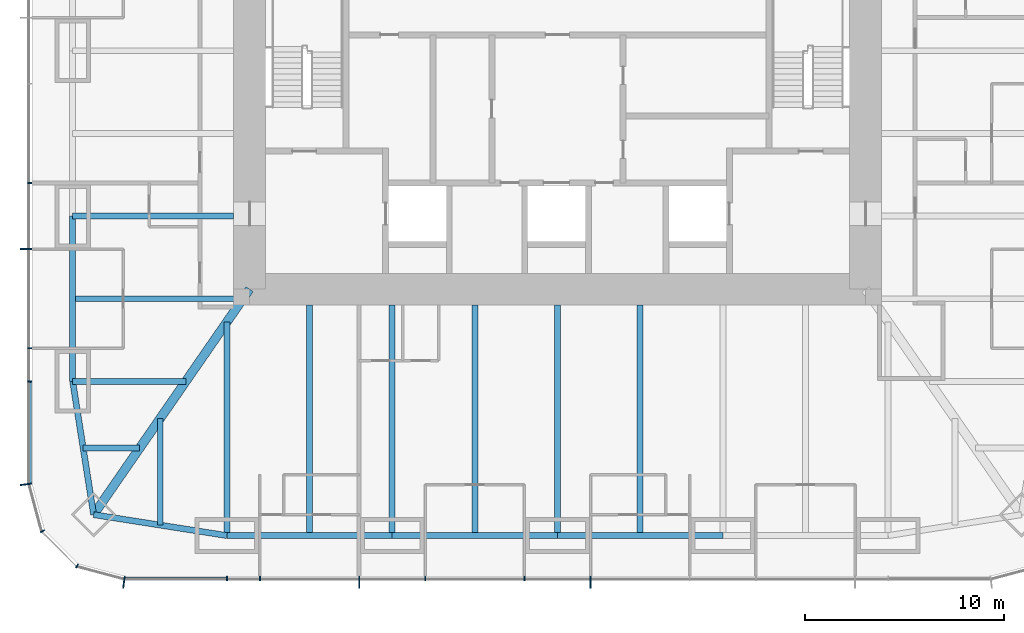
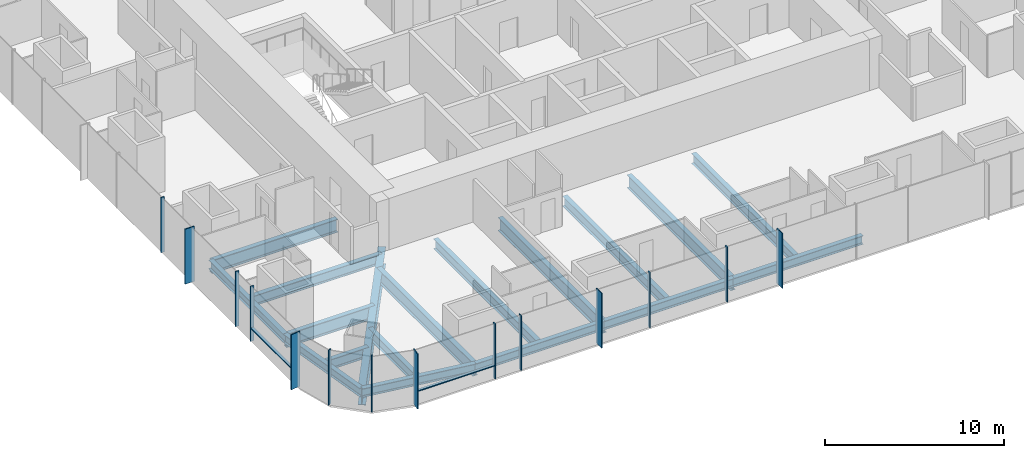
# One storey, part 2 of 12: 18 beams, 16 members, 3 elements without a shape of their own.
"""IFC4 building model written with IfcOpenShell, lengths in metres."""

from ifc_helpers import new_model, si_unit, direction, frame, origin, origin_2d, place, context, subcontext, project, spatial, rectangle, i_section, extrude, material, material_profile, profile_set, type_object, element, aggregate, save


model = new_model("IFC4")

# Units and contexts
model_context = context("Model", 3, precision=1e-05, world=origin(), true_north=direction((0.0, 1.0)))
body_context = subcontext(model_context, "Body", "Model", "MODEL_VIEW")
ifc_project = project(units=[si_unit("LENGTHUNIT", "METRE"), si_unit("AREAUNIT", "SQUARE_METRE"), si_unit("VOLUMEUNIT", "CUBIC_METRE"), si_unit("PLANEANGLEUNIT", "RADIAN"), si_unit("MASSUNIT", "GRAM", prefix="KILO")], contexts=[model_context])

# Site, building, storey
site_placement = place(None, origin())
site = spatial("IfcSite", under=ifc_project, at=site_placement, CompositionType="ELEMENT")
building_placement = place(site_placement, origin())
building = spatial("IfcBuilding", under=site, at=building_placement, Name="Khuree Lantern Residences", CompositionType="ELEMENT")
storey_placement = place(building_placement, frame((0.0, 0.0, 207.0)))
storey = spatial("IfcBuildingStorey", under=building, at=storey_placement, Name="L51", CompositionType="ELEMENT", Elevation=207.0)

# Beams
ifc_material_1 = material(Name="Steel S355", Category="steel")
ifc_material_profile_1 = material_profile(ifc_material_1, i_section(OverallWidth=0.300048828125, OverallDepth=0.68994140625, WebThickness=0.014404296875, FlangeThickness=0.027099609375, FilletRadius=0.027099609375, at=origin_2d()), Name="HE 700 A")
ifc_profile_set_1 = profile_set([ifc_material_profile_1], Name="Steel S355")
beam_type_1 = type_object("IfcBeamType", Name="B-31 SECONDARY BEAM HE 700 A", PredefinedType="BEAM", material=ifc_profile_set_1)
for number, where, z_axis, x_axis, name in (
    (1, (4.159912109375, -24.39990234375, -0.594970703125), (0.0, 1.0, 0.0), (-1.0, 0.0, 0.0), "Secondary beam S3"),
    (2, (-4.159912109375, -24.39990234375, -0.594970703125), (0.0, 1.0, 0.0), (-1.0, 0.0, 0.0), "Secondary beam S4"),
    (3, (-12.47998046875, -24.39990234375, -0.594970703125), (0.0, 1.0, 0.0), (-1.0, 0.0, 0.0), "Secondary beam S5"),
):
    element("IfcBeam", number, at=place(storey_placement, frame(where, z_axis=z_axis, x_axis=x_axis)), inside=storey, type_object=beam_type_1, Name=name, PredefinedType="BEAM", context=body_context, shape_type="SweptSolid", body=[
        extrude(i_section(OverallWidth=0.300048828125, OverallDepth=0.68994140625, WebThickness=0.014404296875, FlangeThickness=0.027099609375, FilletRadius=0.027099609375, at=origin_2d()), origin(), (0.0, 0.0, 1.0), 11.599853515625),
    ])
beam_1_placement = place(storey_placement, frame((-19.992919921875, -23.872802734375, -0.594970703125), z_axis=(0.0, 1.0, 0.0), x_axis=(-1.0, 0.0, 0.0)))
element("IfcBeam", 4, at=beam_1_placement, inside=storey, type_object=beam_type_1, Name="Secondary beam S6", PredefinedType="BEAM", context=body_context, shape_type="SweptSolid", body=[
    extrude(i_section(OverallWidth=0.300048828125, OverallDepth=0.68994140625, WebThickness=0.014404296875, FlangeThickness=0.027099609375, FilletRadius=0.027099609375, at=origin_2d()), origin(), (0.0, 0.0, 1.0), 5.375732421875),
])
beam_2_placement = place(storey_placement, frame((-23.872802734375, -19.992919921875, -0.594970703125), z_axis=(1.0, 0.0, 0.0), x_axis=(0.0, 1.0, 0.0)))
element("IfcBeam", 5, at=beam_2_placement, inside=storey, type_object=beam_type_1, Name="Secondary beam W1", PredefinedType="BEAM", context=body_context, shape_type="SweptSolid", body=[
    extrude(i_section(OverallWidth=0.300048828125, OverallDepth=0.68994140625, WebThickness=0.014404296875, FlangeThickness=0.027099609375, FilletRadius=0.027099609375, at=origin_2d()), origin(), (0.0, 0.0, 1.0), 2.845703125),
])
beam_3_placement = place(storey_placement, frame((-24.39990234375, -12.47998046875, -0.594970703125), z_axis=(1.0, 0.0, 0.0), x_axis=(0.0, 1.0, 0.0)))
element("IfcBeam", 6, at=beam_3_placement, inside=storey, type_object=beam_type_1, Name="Secondary beam W2", PredefinedType="BEAM", context=body_context, shape_type="SweptSolid", body=[
    extrude(i_section(OverallWidth=0.300048828125, OverallDepth=0.68994140625, WebThickness=0.014404296875, FlangeThickness=0.027099609375, FilletRadius=0.027099609375, at=origin_2d()), origin(), (0.0, 0.0, 1.0), 8.56787109375),
])
ifc_material_profile_2 = material_profile(ifc_material_1, i_section(OverallWidth=0.300048828125, OverallDepth=0.590087890625, WebThickness=0.012939453125, FlangeThickness=0.02490234375, FilletRadius=0.027099609375, at=origin_2d()), Name="HE 600 A")
ifc_profile_set_2 = profile_set([ifc_material_profile_2], Name="Steel S355")
beam_type_2 = type_object("IfcBeamType", Name="E-31 SPANDREL BEAM HE 600 A", PredefinedType="SPANDREL", material=ifc_profile_set_2)
for number, where, z_axis, x_axis, name in (
    (7, (8.320068359375, -24.39990234375, -0.544921875), (-1.0, 0.0, 0.0), (0.0, -1.0, 0.0), "Spandrel beam S3"),
    (8, (0.0, -24.39990234375, -0.544921875), (-1.0, 0.0, 0.0), (0.0, -1.0, 0.0), "Spandrel beam S4"),
):
    element("IfcBeam", number, at=place(storey_placement, frame(where, z_axis=z_axis, x_axis=x_axis)), inside=storey, type_object=beam_type_2, Name=name, PredefinedType="SPANDREL", context=body_context, shape_type="SweptSolid", body=[
        extrude(i_section(OverallWidth=0.300048828125, OverallDepth=0.590087890625, WebThickness=0.012939453125, FlangeThickness=0.02490234375, FilletRadius=0.027099609375, at=origin_2d()), origin(), (0.0, 0.0, 1.0), 8.320068359375),
    ])
beam_4_placement = place(storey_placement, frame((-8.320068359375, -24.39990234375, -0.544921875), z_axis=(-1.0, 0.0, 0.0), x_axis=(0.0, -1.0, 0.0)))
element("IfcBeam", 9, at=beam_4_placement, inside=storey, type_object=beam_type_2, Name="Spandrel beam S5", PredefinedType="SPANDREL", context=body_context, shape_type="SweptSolid", body=[
    extrude(i_section(OverallWidth=0.300048828125, OverallDepth=0.590087890625, WebThickness=0.012939453125, FlangeThickness=0.02490234375, FilletRadius=0.027099609375, at=origin_2d()), origin(), (0.0, 0.0, 1.0), 8.31982421875),
])
for number, where, z_axis, x_axis, name in (
    (10, (-16.639892578125, -24.39990234375, -0.544921875), (-0.98786743189, 0.155299507442, 0.0), (-0.155299507442, -0.98786743189, 0.0), "Spandrel beam S6"),
    (11, (-23.345703125, -23.345703125, -0.544921875), (-0.155299507442, 0.98786743189, 0.0), (-0.98786743189, -0.155299507442, 0.0), "Spandrel beam W1"),
):
    element("IfcBeam", number, at=place(storey_placement, frame(where, z_axis=z_axis, x_axis=x_axis)), inside=storey, type_object=beam_type_2, Name=name, PredefinedType="SPANDREL", context=body_context, shape_type="SweptSolid", body=[
        extrude(i_section(OverallWidth=0.300048828125, OverallDepth=0.590087890625, WebThickness=0.012939453125, FlangeThickness=0.02490234375, FilletRadius=0.027099609375, at=origin_2d()), origin(), (0.0, 0.0, 1.0), 6.7880859375),
    ])
beam_5_placement = place(storey_placement, frame((-24.39990234375, -16.639892578125, -0.544921875), z_axis=(0.0, 1.0, 0.0), x_axis=(-1.0, 0.0, 0.0)))
element("IfcBeam", 12, at=beam_5_placement, inside=storey, type_object=beam_type_2, Name="Spandrel beam W2", PredefinedType="SPANDREL", context=body_context, shape_type="SweptSolid", body=[
    extrude(i_section(OverallWidth=0.300048828125, OverallDepth=0.590087890625, WebThickness=0.012939453125, FlangeThickness=0.02490234375, FilletRadius=0.027099609375, at=origin_2d()), origin(), (0.0, 0.0, 1.0), 8.31982421875),
])

# Curtain wall, member
ifc_material_2 = material(Name="Bronze anodised aluminium", Category="aluminium")
curtain_wall_type_1 = type_object("IfcCurtainWallType", Name="CW-T1 TOWER FACE CURTAIN WALL", PredefinedType="USERDEFINED", material=ifc_material_2)
curtain_wall_1_placement = place(storey_placement, origin())
curtain_wall_1 = element("IfcCurtainWall", 13, at=curtain_wall_1_placement, inside=storey, type_object=curtain_wall_type_1, Name="L51 WEST FACE CURTAIN WALL", ObjectType="Stick-built curtain wall", PredefinedType="USERDEFINED")
ifc_material_profile_3 = material_profile(ifc_material_2, rectangle(XDim=0.06494140625, YDim=0.60009765625, at=origin_2d()), Name="F1 65X600")
ifc_profile_set_3 = profile_set([ifc_material_profile_3], Name="Bronze anodised aluminium")
member_type_1 = type_object("IfcMemberType", Name="F1 BRONZE FIN MULLION TOWER 65X600", PredefinedType="MULLION", material=ifc_profile_set_3)
member_1_placement = place(storey_placement, frame((-26.75, -9.98388671875, 0.0), z_axis=(0.0, 0.0, 1.0), x_axis=(0.0, -1.0, 0.0)))
member_1 = element("IfcMember", 14, at=member_1_placement, type_object=member_type_1, Name="L51 WEST FACE FIN MULLION 40", PredefinedType="MULLION", context=body_context, shape_type="SweptSolid", body=[
    extrude(rectangle(XDim=0.06494140625, YDim=0.60009765625, at=origin_2d()), origin(), (0.0, 0.0, 1.0), 3.75),
])

curtain_wall_type_2 = type_object("IfcCurtainWallType", Name="CW-T2 TOWER CORNER CURTAIN WALL", PredefinedType="USERDEFINED", material=ifc_material_2)
curtain_wall_2_placement = place(storey_placement, origin())
curtain_wall_2 = element("IfcCurtainWall", 15, at=curtain_wall_2_placement, inside=storey, type_object=curtain_wall_type_2, Name="L51 SOUTH-WEST CORNER CURTAIN WALL", ObjectType="Faceted corner curtain wall", PredefinedType="USERDEFINED")
member_2_placement = place(storey_placement, frame((-26.75, -21.81982421875, 0.0), z_axis=(0.0, 0.0, 1.0), x_axis=(0.130526180298, -0.991444862943, 0.0)))
member_2 = element("IfcMember", 16, at=member_2_placement, type_object=member_type_1, Name="L51 SOUTH-WEST CORNER FIN MULLION 43", PredefinedType="MULLION", context=body_context, shape_type="SweptSolid", body=[
    extrude(rectangle(XDim=0.06494140625, YDim=0.60009765625, at=origin_2d()), origin(), (0.0, 0.0, 1.0), 3.75),
])

# Curtain wall, members
curtain_wall_3_placement = place(storey_placement, origin())
curtain_wall_3 = element("IfcCurtainWall", 17, at=curtain_wall_3_placement, inside=storey, type_object=curtain_wall_type_1, Name="L51 SOUTH FACE CURTAIN WALL", ObjectType="Stick-built curtain wall", PredefinedType="USERDEFINED")
member_3_placement = place(storey_placement, frame((-21.81982421875, -26.75, 0.0), z_axis=(0.0, 0.0, 1.0), x_axis=(0.991444862943, -0.130526180298, 0.0)))
member_3 = element("IfcMember", 18, at=member_3_placement, type_object=member_type_1, Name="L51 SOUTH FACE FIN MULLION 46", PredefinedType="MULLION", context=body_context, shape_type="SweptSolid", body=[
    extrude(rectangle(XDim=0.06494140625, YDim=0.60009765625, at=origin_2d()), origin(), (0.0, 0.0, 1.0), 3.75),
])
member_4_placement = place(storey_placement, frame((-9.98388671875, -26.75, 0.0), z_axis=(0.0, 0.0, 1.0), x_axis=(1.0, 0.0, 0.0)))
member_4 = element("IfcMember", 19, at=member_4_placement, type_object=member_type_1, Name="L51 SOUTH FACE FIN MULLION 49", PredefinedType="MULLION", context=body_context, shape_type="SweptSolid", body=[
    extrude(rectangle(XDim=0.06494140625, YDim=0.60009765625, at=origin_2d()), origin(), (0.0, 0.0, 1.0), 3.75),
])
member_5_placement = place(storey_placement, frame((1.6640625, -26.75, 0.0), z_axis=(0.0, 0.0, 1.0), x_axis=(1.0, 0.0, 0.0)))
member_5 = element("IfcMember", 20, at=member_5_placement, type_object=member_type_1, Name="L51 SOUTH FACE FIN MULLION 52", PredefinedType="MULLION", context=body_context, shape_type="SweptSolid", body=[
    extrude(rectangle(XDim=0.06494140625, YDim=0.60009765625, at=origin_2d()), origin(), (0.0, 0.0, 1.0), 3.75),
])

# Beams
ifc_material_profile_4 = material_profile(ifc_material_1, i_section(OverallWidth=0.300048828125, OverallDepth=0.89990234375, WebThickness=0.0185546875, FlangeThickness=0.034912109375, FilletRadius=0.030029296875, at=origin_2d()), Name="HE 900 B")
ifc_profile_set_4 = profile_set([ifc_material_profile_4], Name="Steel S355")
beam_type_3 = type_object("IfcBeamType", Name="G-31A GIRDER HE 900 B", PredefinedType="BEAM", material=ifc_profile_set_4)
for number, where, z_axis, x_axis, name in (
    (21, (0.0, -24.39990234375, -0.699951171875), (0.0, 1.0, 0.0), (-1.0, 0.0, 0.0), "Girder S3"),
    (22, (-8.320068359375, -24.39990234375, -0.699951171875), (0.0, 1.0, 0.0), (-1.0, 0.0, 0.0), "Girder S4"),
):
    element("IfcBeam", number, at=place(storey_placement, frame(where, z_axis=z_axis, x_axis=x_axis)), inside=storey, type_object=beam_type_3, Name=name, PredefinedType="BEAM", context=body_context, shape_type="SweptSolid", body=[
        extrude(i_section(OverallWidth=0.300048828125, OverallDepth=0.89990234375, WebThickness=0.0185546875, FlangeThickness=0.034912109375, FilletRadius=0.030029296875, at=origin_2d()), origin(), (0.0, 0.0, 1.0), 11.599853515625),
    ])
beam_6_placement = place(storey_placement, frame((-16.639892578125, -24.39990234375, -0.699951171875), z_axis=(0.0, 1.0, 0.0), x_axis=(-1.0, 0.0, 0.0)))
element("IfcBeam", 23, at=beam_6_placement, inside=storey, type_object=beam_type_3, Name="Girder S5", PredefinedType="BEAM", context=body_context, shape_type="SweptSolid", body=[
    extrude(i_section(OverallWidth=0.300048828125, OverallDepth=0.89990234375, WebThickness=0.0185546875, FlangeThickness=0.034912109375, FilletRadius=0.030029296875, at=origin_2d()), origin(), (0.0, 0.0, 1.0), 10.751220703125),
])
beam_7_placement = place(storey_placement, frame((-24.39990234375, -16.639892578125, -0.699951171875), z_axis=(1.0, 0.0, 0.0), x_axis=(0.0, 1.0, 0.0)))
element("IfcBeam", 24, at=beam_7_placement, inside=storey, type_object=beam_type_3, Name="Girder W1", PredefinedType="BEAM", context=body_context, shape_type="SweptSolid", body=[
    extrude(i_section(OverallWidth=0.300048828125, OverallDepth=0.89990234375, WebThickness=0.0185546875, FlangeThickness=0.034912109375, FilletRadius=0.030029296875, at=origin_2d()), origin(), (0.0, 0.0, 1.0), 5.69140625),
])
beam_8_placement = place(storey_placement, frame((-24.39990234375, -8.320068359375, -0.699951171875), z_axis=(1.0, 0.0, 0.0), x_axis=(0.0, 1.0, 0.0)))
element("IfcBeam", 25, at=beam_8_placement, inside=storey, type_object=beam_type_3, Name="Girder W2", PredefinedType="BEAM", context=body_context, shape_type="SweptSolid", body=[
    extrude(i_section(OverallWidth=0.300048828125, OverallDepth=0.89990234375, WebThickness=0.0185546875, FlangeThickness=0.034912109375, FilletRadius=0.030029296875, at=origin_2d()), origin(), (0.0, 0.0, 1.0), 8.099853515625),
])
ifc_material_profile_5 = material_profile(ifc_material_1, i_section(OverallWidth=0.449951171875, OverallDepth=1.199951171875, WebThickness=0.02490234375, FlangeThickness=0.044921875, at=origin_2d()), Name="WELDED I 1200X450X25X45")
ifc_profile_set_5 = profile_set([ifc_material_profile_5], Name="Steel S355")
beam_type_4 = type_object("IfcBeamType", Name="GD-31 CORNER GIRDER WELDED I 1200X450X25X45", PredefinedType="BEAM", material=ifc_profile_set_5)
beam_9_placement = place(storey_placement, frame((-23.345703125, -23.345703125, -0.85009765625), z_axis=(0.56876813501, 0.822497907959, 0.0), x_axis=(-0.822497907959, 0.56876813501, 0.0)))
element("IfcBeam", 26, at=beam_9_placement, inside=storey, type_object=beam_type_4, Name="Corner girder SW", PredefinedType="BEAM", context=body_context, shape_type="SweptSolid", body=[
    extrude(i_section(OverallWidth=0.449951171875, OverallDepth=1.199951171875, WebThickness=0.02490234375, FlangeThickness=0.044921875, at=origin_2d()), origin(), (0.0, 0.0, 1.0), 13.794189453125),
])

# Member
ifc_material_profile_6 = material_profile(ifc_material_2, rectangle(XDim=0.06494140625, YDim=0.219970703125, at=origin_2d()), Name="M1 65X220")
ifc_profile_set_6 = profile_set([ifc_material_profile_6], Name="Bronze anodised aluminium")
member_type_2 = type_object("IfcMemberType", Name="M1 BRONZE MULLION TOWER 65X220", PredefinedType="MULLION", material=ifc_profile_set_6)
member_6_placement = place(storey_placement, frame((-26.56005859375, -6.656005859375, 0.0), z_axis=(0.0, 0.0, 1.0), x_axis=(0.0, -1.0, 0.0)))
member_6 = element("IfcMember", 27, at=member_6_placement, type_object=member_type_2, Name="L51 WEST FACE MULLION 39", PredefinedType="MULLION", context=body_context, shape_type="SweptSolid", body=[
    extrude(rectangle(XDim=0.06494140625, YDim=0.219970703125, at=origin_2d()), origin(), (0.0, 0.0, 1.0), 3.75),
])

member_7_placement = place(storey_placement, frame((-26.56005859375, -14.97607421875, 0.0), z_axis=(0.0, 0.0, 1.0), x_axis=(0.0, -1.0, 0.0)))
member_7 = element("IfcMember", 28, at=member_7_placement, type_object=member_type_2, Name="L51 WEST FACE MULLION 41", PredefinedType="MULLION", context=body_context, shape_type="SweptSolid", body=[
    extrude(rectangle(XDim=0.06494140625, YDim=0.219970703125, at=origin_2d()), origin(), (0.0, 0.0, 1.0), 3.75),
])

member_8_placement = place(storey_placement, frame((-26.56005859375, -16.639892578125, 0.0), z_axis=(0.0, 0.0, 1.0), x_axis=(0.0, -1.0, 0.0)))
member_8 = element("IfcMember", 29, at=member_8_placement, type_object=member_type_2, Name="L51 WEST FACE MULLION 42", PredefinedType="MULLION", context=body_context, shape_type="SweptSolid", body=[
    extrude(rectangle(XDim=0.06494140625, YDim=0.219970703125, at=origin_2d()), origin(), (0.0, 0.0, 1.0), 3.75),
])

member_9_placement = place(storey_placement, frame((-25.92236328125, -24.179931640625, 0.0), z_axis=(0.0, 0.0, 1.0), x_axis=(0.499999989586, -0.866025409797, 0.0)))
member_9 = element("IfcMember", 30, at=member_9_placement, type_object=member_type_2, Name="L51 SOUTH-WEST CORNER MULLION 44", PredefinedType="MULLION", context=body_context, shape_type="SweptSolid", body=[
    extrude(rectangle(XDim=0.06494140625, YDim=0.219970703125, at=origin_2d()), origin(), (0.0, 0.0, 1.0), 3.75),
])

member_10_placement = place(storey_placement, frame((-24.179931640625, -25.92236328125, 0.0), z_axis=(0.0, 0.0, 1.0), x_axis=(0.866025409797, -0.499999989586, 0.0)))
member_10 = element("IfcMember", 31, at=member_10_placement, type_object=member_type_2, Name="L51 SOUTH-WEST CORNER MULLION 45", PredefinedType="MULLION", context=body_context, shape_type="SweptSolid", body=[
    extrude(rectangle(XDim=0.06494140625, YDim=0.219970703125, at=origin_2d()), origin(), (0.0, 0.0, 1.0), 3.75),
])

aggregate(curtain_wall_2, [member_2, member_9, member_10])

member_11_placement = place(storey_placement, frame((-16.639892578125, -26.56005859375, 0.0), z_axis=(0.0, 0.0, 1.0), x_axis=(1.0, 0.0, 0.0)))
member_11 = element("IfcMember", 32, at=member_11_placement, type_object=member_type_2, Name="L51 SOUTH FACE MULLION 47", PredefinedType="MULLION", context=body_context, shape_type="SweptSolid", body=[
    extrude(rectangle(XDim=0.06494140625, YDim=0.219970703125, at=origin_2d()), origin(), (0.0, 0.0, 1.0), 3.75),
])

member_12_placement = place(storey_placement, frame((-14.97607421875, -26.56005859375, 0.0), z_axis=(0.0, 0.0, 1.0), x_axis=(1.0, 0.0, 0.0)))
member_12 = element("IfcMember", 33, at=member_12_placement, type_object=member_type_2, Name="L51 SOUTH FACE MULLION 48", PredefinedType="MULLION", context=body_context, shape_type="SweptSolid", body=[
    extrude(rectangle(XDim=0.06494140625, YDim=0.219970703125, at=origin_2d()), origin(), (0.0, 0.0, 1.0), 3.75),
])

member_13_placement = place(storey_placement, frame((-6.656005859375, -26.56005859375, 0.0), z_axis=(0.0, 0.0, 1.0), x_axis=(1.0, 0.0, 0.0)))
member_13 = element("IfcMember", 34, at=member_13_placement, type_object=member_type_2, Name="L51 SOUTH FACE MULLION 50", PredefinedType="MULLION", context=body_context, shape_type="SweptSolid", body=[
    extrude(rectangle(XDim=0.06494140625, YDim=0.219970703125, at=origin_2d()), origin(), (0.0, 0.0, 1.0), 3.75),
])

member_14_placement = place(storey_placement, frame((-1.6640625, -26.56005859375, 0.0), z_axis=(0.0, 0.0, 1.0), x_axis=(1.0, 0.0, 0.0)))
member_14 = element("IfcMember", 35, at=member_14_placement, type_object=member_type_2, Name="L51 SOUTH FACE MULLION 51", PredefinedType="MULLION", context=body_context, shape_type="SweptSolid", body=[
    extrude(rectangle(XDim=0.06494140625, YDim=0.219970703125, at=origin_2d()), origin(), (0.0, 0.0, 1.0), 3.75),
])

ifc_material_profile_7 = material_profile(ifc_material_2, rectangle(XDim=0.179931640625, YDim=0.06494140625, at=origin_2d()), Name="T1 180X65")
ifc_profile_set_7 = profile_set([ifc_material_profile_7], Name="Bronze anodised aluminium")
member_type_3 = type_object("IfcMemberType", Name="TRANSOM T1 TOWER 180X65", PredefinedType="USERDEFINED", material=ifc_profile_set_7)
member_15_placement = place(storey_placement, frame((-26.570068359375, -16.672607421875, 0.89990234375), z_axis=(0.0, -1.0, 0.0), x_axis=(1.0, 0.0, 0.0)))
member_15 = element("IfcMember", 36, at=member_15_placement, type_object=member_type_3, Name="L51 WEST FACE TRANSOM 42.1", ObjectType="Transom", PredefinedType="USERDEFINED", context=body_context, shape_type="SweptSolid", body=[
    extrude(rectangle(XDim=0.179931640625, YDim=0.06494140625, at=origin_2d()), origin(), (0.0, 0.0, 1.0), 5.078857421875),
])

aggregate(curtain_wall_1, [member_6, member_1, member_7, member_8, member_15])

member_16_placement = place(storey_placement, frame((-21.75146484375, -26.570068359375, 0.89990234375), z_axis=(1.0, 0.0, 0.0), x_axis=(0.0, 1.0, 0.0)))
member_16 = element("IfcMember", 37, at=member_16_placement, type_object=member_type_3, Name="L51 SOUTH FACE TRANSOM 46.1", ObjectType="Transom", PredefinedType="USERDEFINED", context=body_context, shape_type="SweptSolid", body=[
    extrude(rectangle(XDim=0.179931640625, YDim=0.06494140625, at=origin_2d()), origin(), (0.0, 0.0, 1.0), 5.078857421875),
])

aggregate(curtain_wall_3, [member_3, member_11, member_12, member_4, member_13, member_14, member_5, member_16])

save(model, "model.ifc")
